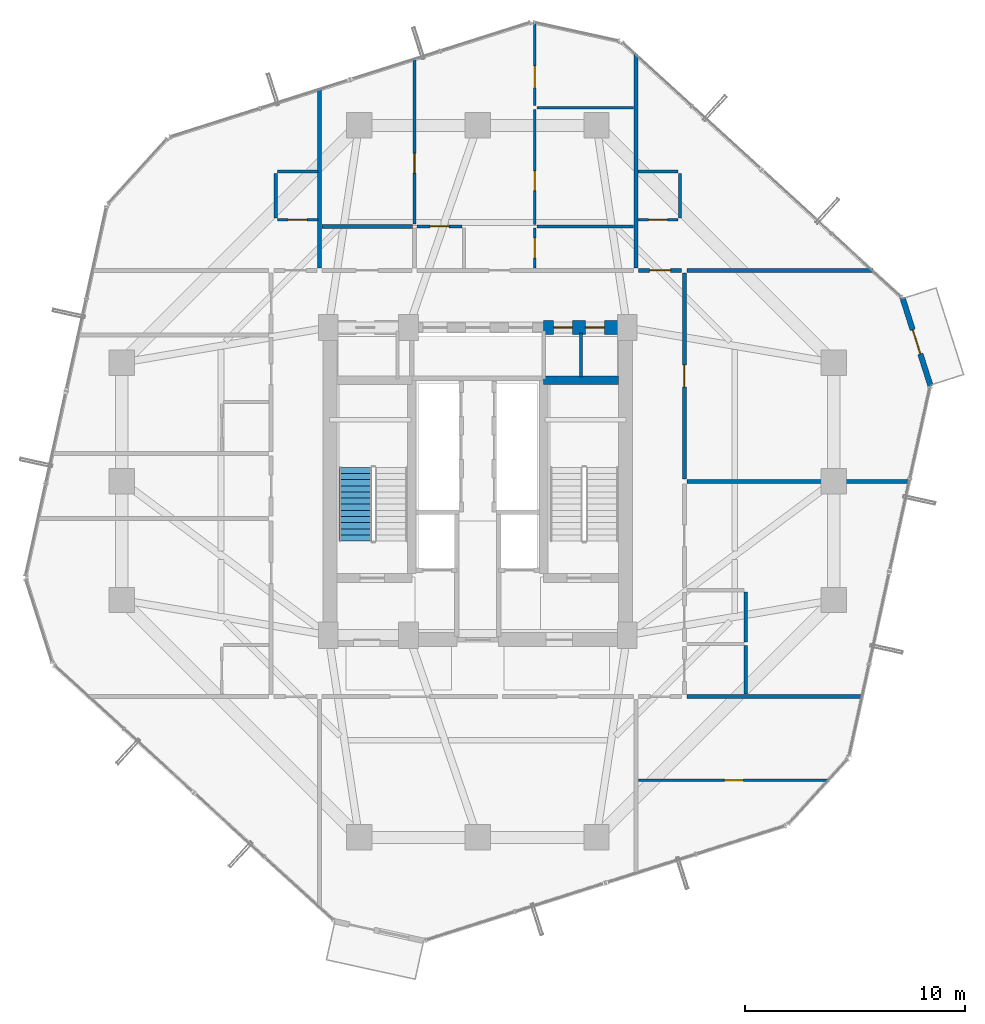
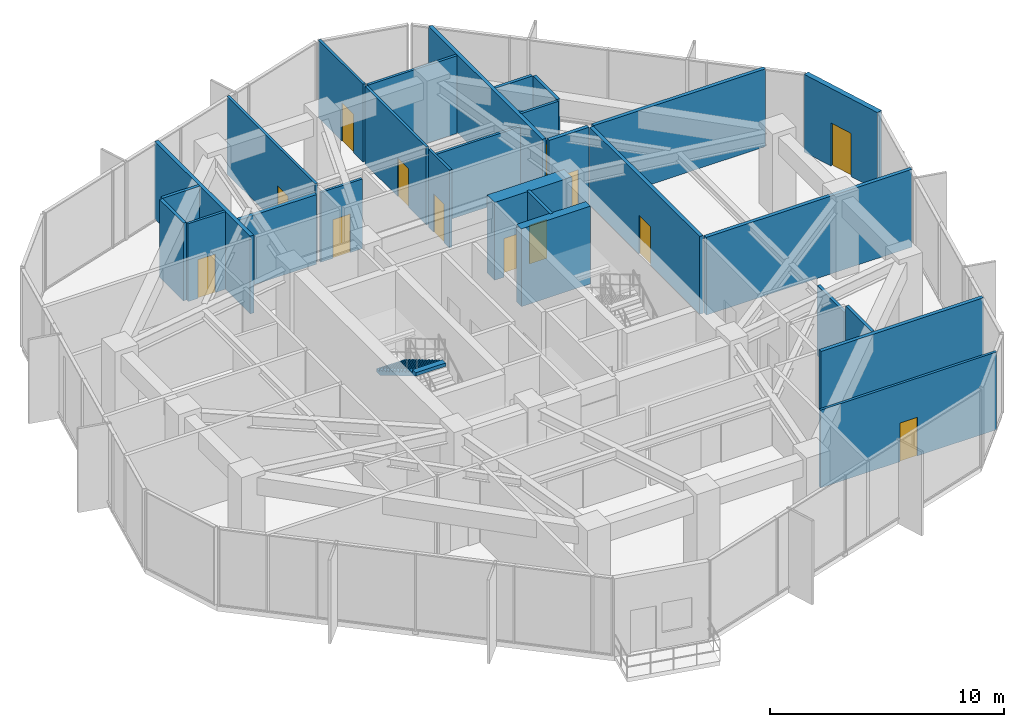
# One storey, part 25 of 28: 28 walls, 13 doors, 1 stair flight, 13 openings, 1 element without a shape of its own.
"""IFC4 building model written with IfcOpenShell, lengths in metres."""

from ifc_helpers import new_model, si_unit, direction, frame, frame_2d, origin, place, context, subcontext, project, spatial, polyline, rectangle, outline, extrude, source, transform, mapped, material, layer, layer_set, type_object, element, fill, aggregate, save


model = new_model("IFC4")

# Units and contexts
model_context = context("Model", 3, precision=1e-05, world=origin(), true_north=direction((0.0, 1.0)))
body_context = subcontext(model_context, "Body", "Model", "MODEL_VIEW")
ifc_project = project(units=[si_unit("LENGTHUNIT", "METRE"), si_unit("AREAUNIT", "SQUARE_METRE"), si_unit("VOLUMEUNIT", "CUBIC_METRE"), si_unit("PLANEANGLEUNIT", "RADIAN"), si_unit("MASSUNIT", "GRAM", prefix="KILO")], contexts=[model_context])

# Site, building, storey
site_placement = place(None, origin())
site = spatial("IfcSite", under=ifc_project, at=site_placement, CompositionType="ELEMENT")
building_placement = place(site_placement, origin())
building = spatial("IfcBuilding", under=site, at=building_placement, Name="Veraguas Prism Commons", CompositionType="ELEMENT")
storey_placement = place(building_placement, frame((0.0, 0.0, 85.14990234375)))
storey = spatial("IfcBuildingStorey", under=building, at=storey_placement, Name="L23", CompositionType="ELEMENT", Elevation=85.14990234375)

# Wall
ifc_material_1 = material(Name="Concrete C50/60", Category="concrete")
ifc_layer_1 = layer(ifc_material_1, 0.39990234375, Name="Clinic and Mid Core Shear Wall RC 400", Category="concrete")
ifc_layer_set_1 = layer_set([ifc_layer_1], Name="Concrete C50/60")
wall_type_1 = type_object("IfcWallType", Name="Clinic and Mid Core Shear Wall RC 400", PredefinedType="SHEAR", material=ifc_layer_set_1)
wall_1_placement = place(storey_placement, frame((27.0, 28.60009765625, 0.0), z_axis=(0.0, 0.0, 1.0), x_axis=(1.0, 0.0, 0.0)))
element("IfcWall", 1, at=wall_1_placement, inside=storey, type_object=wall_type_1, Name="Stair ST-02 North Shear Wall L23", PredefinedType="SHEAR", context=body_context, shape_type="SweptSolid", body=[
    extrude(rectangle(XDim=3.39990234375, YDim=0.39990234375, at=frame_2d((1.699951171875, 0.0))), origin(), (0.0, 0.0, 1.0), 4.050048828125),
])

# Wall, openings, doors
ifc_material_2 = material(Name="Concrete C55/67", Category="concrete")
ifc_layer_2 = layer(ifc_material_2, 0.64990234375, Name="Core Outer Shear Wall Mid RC 650", Category="concrete")
ifc_layer_set_2 = layer_set([ifc_layer_2], Name="Concrete C55/67")
wall_type_2 = type_object("IfcWallType", Name="Core Outer Shear Wall Mid RC 650", PredefinedType="SHEAR", material=ifc_layer_set_2)
wall_2_placement = place(storey_placement, frame((27.0, 31.0, 0.0), z_axis=(0.0, 0.0, 1.0), x_axis=(1.0, 0.0, 0.0)))
wall_2 = element("IfcWall", 2, at=wall_2_placement, inside=storey, type_object=wall_type_2, Name="Central Core North-East Shear Wall L23", PredefinedType="SHEAR", context=body_context, shape_type="SweptSolid", body=[
    extrude(rectangle(XDim=3.800048828125, YDim=0.64990234375, at=frame_2d((1.89990234375, 0.0))), origin(), (0.0, 0.0, 1.0), 4.050048828125),
])
opening_1_placement = place(wall_2_placement, frame((0.449951171875, 0.0, 0.0)))
opening_1 = element("IfcOpeningElement", 3, at=opening_1_placement, cuts=wall_2, Name="Opening DR-12", PredefinedType="OPENING", context=body_context, shape_type="SweptSolid", body=[
    extrude(rectangle(XDim=0.860107421875, YDim=2.010009765625, at=frame_2d((0.43017578125, 1.0048828125))), frame((0.0, 0.3349609375, 0.0), z_axis=(0.0, -1.0, 0.0), x_axis=(1.0, 0.0, 0.0)), (0.0, 0.0, 1.0), 0.669921875),
])
opening_2_placement = place(wall_2_placement, frame((1.89990234375, 0.0, 0.0)))
opening_2 = element("IfcOpeningElement", 4, at=opening_2_placement, cuts=wall_2, Name="Opening DR-12", PredefinedType="OPENING", context=body_context, shape_type="SweptSolid", body=[
    extrude(rectangle(XDim=0.860107421875, YDim=2.010009765625, at=frame_2d((0.43017578125, 1.0048828125))), frame((0.0, 0.3349609375, 0.0), z_axis=(0.0, -1.0, 0.0), x_axis=(1.0, 0.0, 0.0)), (0.0, 0.0, 1.0), 0.669921875),
])
ifc_material_3 = material(Name="Steel fire-rated door assembly", Category="steel")
door_type_1 = type_object("IfcDoorType", Name="Core WC Fire Door 860x2010", OperationType="NOTDEFINED", PredefinedType="DOOR", material=ifc_material_3)
shared_shape_1 = source(origin(), body_context, "Body", "SweptSolid", [
    extrude(rectangle(XDim=0.860107421875, YDim=2.010009765625, at=frame_2d((0.43017578125, 1.0048828125))), frame((0.0, 0.02490234375, 0.0), z_axis=(0.0, -1.0, 0.0), x_axis=(1.0, 0.0, 0.0)), (0.0, 0.0, 1.0), 0.050048828125),
])
door_1_placement = place(opening_1_placement, origin())
door_1 = element("IfcDoor", 5, at=door_1_placement, inside=storey, type_object=door_type_1, Name="Core NE Room A Door L23", OperationType="SINGLE_SWING_LEFT", OverallHeight=2.010009765625, OverallWidth=0.860107421875, PredefinedType="DOOR", context=body_context, shape_type="MappedRepresentation", body=[
    mapped(shared_shape_1, transform((0.0, 0.0, 0.0), scale=1.0)),
])
fill(opening_1, door_1)
door_2_placement = place(opening_2_placement, origin())
door_2 = element("IfcDoor", 6, at=door_2_placement, inside=storey, type_object=door_type_1, Name="Core NE Room B Door L23", OperationType="SINGLE_SWING_RIGHT", OverallHeight=2.010009765625, OverallWidth=0.860107421875, PredefinedType="DOOR", context=body_context, shape_type="MappedRepresentation", body=[
    mapped(shared_shape_1, transform((0.0, 0.0, 0.0), scale=1.0)),
])
fill(opening_2, door_2)

# Walls
ifc_material_4 = material(Name="Autoclaved aerated masonry block 10 MPa", Category="masonry")
ifc_layer_3 = layer(ifc_material_4, 0.179931640625, Name="Corridor and Inter-Tenancy Partition 180", Category="masonry")
ifc_layer_set_3 = layer_set([ifc_layer_3], Name="Autoclaved aerated masonry block 10 MPa")
wall_type_3 = type_object("IfcWallType", Name="Corridor and Inter-Tenancy Partition 180", PredefinedType="PARTITIONING", material=ifc_layer_set_3)
wall_3_placement = place(storey_placement, frame((16.800048828125, 33.719970703125, 0.0), z_axis=(0.0, 0.0, 1.0), x_axis=(0.0, 1.0, 0.0)))
element("IfcWall", 7, at=wall_3_placement, inside=storey, type_object=wall_type_3, Name="WL-L23-PT005", PredefinedType="PARTITIONING", context=body_context, shape_type="SweptSolid", body=[
    extrude(rectangle(XDim=8.15087890625, YDim=0.179931640625, at=frame_2d((4.075439453125, 0.0))), origin(), (0.0, 0.0, 1.0), 4.050048828125),
])
wall_4_placement = place(storey_placement, frame((31.199951171875, 33.719970703125, 0.0), z_axis=(0.0, 0.0, 1.0), x_axis=(0.0, 1.0, 0.0)))
element("IfcWall", 8, at=wall_4_placement, inside=storey, type_object=wall_type_3, Name="WL-L23-PT006", PredefinedType="PARTITIONING", context=body_context, shape_type="SweptSolid", body=[
    extrude(rectangle(XDim=9.71533203125, YDim=0.179931640625, at=frame_2d((4.857666015625, 0.0))), origin(), (0.0, 0.0, 1.0), 4.050048828125),
])
wall_5_placement = place(storey_placement, frame((16.919921875, 35.60009765625, 0.0), z_axis=(0.0, 0.0, 1.0), x_axis=(1.0, 0.0, 0.0)))
element("IfcWall", 9, at=wall_5_placement, inside=storey, type_object=wall_type_3, Name="WL-L23-PT011", PredefinedType="PARTITIONING", context=body_context, shape_type="SweptSolid", body=[
    extrude(rectangle(XDim=4.10009765625, YDim=0.179931640625, at=frame_2d((2.050048828125, 0.0))), origin(), (0.0, 0.0, 1.0), 3.630126953125),
])
wall_6_placement = place(storey_placement, frame((33.52001953125, 14.199951171875, 0.0), z_axis=(0.0, 0.0, 1.0), x_axis=(1.0, 0.0, 0.0)))
element("IfcWall", 10, at=wall_6_placement, inside=storey, type_object=wall_type_3, Name="WL-L23-PT032", PredefinedType="PARTITIONING", context=body_context, shape_type="SweptSolid", body=[
    extrude(rectangle(XDim=8.0009765625, YDim=0.179931640625, at=frame_2d((4.00048828125, 0.0))), origin(), (0.0, 0.0, 1.0), 4.050048828125),
])
wall_7_placement = place(storey_placement, frame((33.52001953125, 33.60009765625, 0.0), z_axis=(0.0, 0.0, 1.0), x_axis=(1.0, 0.0, 0.0)))
element("IfcWall", 11, at=wall_7_placement, inside=storey, type_object=wall_type_3, Name="WL-L23-PT033", PredefinedType="PARTITIONING", context=body_context, shape_type="SweptSolid", body=[
    extrude(rectangle(XDim=8.466064453125, YDim=0.179931640625, at=frame_2d((4.23291015625, 0.0))), origin(), (0.0, 0.0, 1.0), 4.050048828125),
])

# Wall, opening, door
wall_8_placement = place(storey_placement, frame((33.39990234375, 24.110107421875, 0.0), z_axis=(0.0, 0.0, 1.0), x_axis=(0.0, 1.0, 0.0)))
wall_8 = element("IfcWall", 12, at=wall_8_placement, inside=storey, type_object=wall_type_3, Name="WL-L23-PT037", PredefinedType="PARTITIONING", context=body_context, shape_type="SweptSolid", body=[
    extrude(rectangle(XDim=9.3798828125, YDim=0.179931640625, at=frame_2d((4.68994140625, 0.0))), origin(), (0.0, 0.0, 1.0), 4.050048828125),
])
opening_3_placement = place(wall_8_placement, frame((4.18994140625, 0.0, 0.0)))
opening_3 = element("IfcOpeningElement", 13, at=opening_3_placement, cuts=wall_8, Name="Opening DR-13", PredefinedType="OPENING", context=body_context, shape_type="SweptSolid", body=[
    extrude(rectangle(XDim=1.0, YDim=2.010009765625, at=frame_2d((0.5, 1.0048828125))), frame((0.0, 0.099853515625, 0.0), z_axis=(0.0, -1.0, 0.0), x_axis=(1.0, 0.0, 0.0)), (0.0, 0.0, 1.0), 0.199951171875),
])
door_type_2 = type_object("IfcDoorType", Name="Core Accessible WC and Clinic Fire Door 1000x2010", OperationType="NOTDEFINED", PredefinedType="DOOR", material=ifc_material_3)
shared_shape_2 = source(origin(), body_context, "Body", "SweptSolid", [
    extrude(rectangle(XDim=1.0, YDim=2.010009765625, at=frame_2d((0.5, 1.0048828125))), frame((0.0, 0.02490234375, 0.0), z_axis=(0.0, -1.0, 0.0), x_axis=(1.0, 0.0, 0.0)), (0.0, 0.0, 1.0), 0.050048828125),
])
door_3_placement = place(opening_3_placement, origin())
door_3 = element("IfcDoor", 14, at=door_3_placement, inside=storey, type_object=door_type_2, Name="Reading Lounge L23 Door", OperationType="SINGLE_SWING_LEFT", OverallHeight=2.010009765625, OverallWidth=1.0, PredefinedType="DOOR", context=body_context, shape_type="MappedRepresentation", body=[
    mapped(shared_shape_2, transform((0.0, 0.0, 0.0), scale=1.0)),
])
fill(opening_3, door_3)

# Wall
wall_9_placement = place(storey_placement, frame((33.52001953125, 24.0, 0.0), z_axis=(0.0, 0.0, 1.0), x_axis=(1.0, 0.0, 0.0)))
element("IfcWall", 15, at=wall_9_placement, inside=storey, type_object=wall_type_3, Name="WL-L23-PT042", PredefinedType="PARTITIONING", context=body_context, shape_type="SweptSolid", body=[
    extrude(rectangle(XDim=10.148193359375, YDim=0.179931640625, at=frame_2d((5.07421875, 0.0))), origin(), (0.0, 0.0, 1.0), 4.050048828125),
])

# Wall, opening, door
wall_10_placement = place(storey_placement, frame((31.320068359375, 33.60009765625, 0.0), z_axis=(0.0, 0.0, 1.0), x_axis=(1.0, 0.0, 0.0)))
wall_10 = element("IfcWall", 16, at=wall_10_placement, inside=storey, type_object=wall_type_3, Name="WL-L23-PT050", PredefinedType="PARTITIONING", context=body_context, shape_type="SweptSolid", body=[
    extrude(rectangle(XDim=1.9599609375, YDim=0.179931640625, at=frame_2d((0.97998046875, 0.0))), origin(), (0.0, 0.0, 1.0), 4.050048828125),
])
opening_4_placement = place(wall_10_placement, frame((0.5048828125, 0.0, 0.0)))
opening_4 = element("IfcOpeningElement", 17, at=opening_4_placement, cuts=wall_10, Name="Opening DR-01", PredefinedType="OPENING", context=body_context, shape_type="SweptSolid", body=[
    extrude(rectangle(XDim=0.949951171875, YDim=2.02001953125, at=frame_2d((0.47509765625, 1.010009765625))), frame((0.0, 0.099853515625, 0.0), z_axis=(0.0, -1.0, 0.0), x_axis=(1.0, 0.0, 0.0)), (0.0, 0.0, 1.0), 0.199951171875),
])
ifc_material_5 = material(Name="Anodised aluminium EN AW-6063 T6", Category="aluminium")
door_type_3 = type_object("IfcDoorType", Name="Apartment Entrance Fire Door 950x2020", OperationType="NOTDEFINED", PredefinedType="DOOR", material=ifc_material_5)
shared_shape_3 = source(origin(), body_context, "Body", "SweptSolid", [
    extrude(rectangle(XDim=0.949951171875, YDim=2.02001953125, at=frame_2d((0.47509765625, 1.010009765625))), frame((0.0, 0.02490234375, 0.0), z_axis=(0.0, -1.0, 0.0), x_axis=(1.0, 0.0, 0.0)), (0.0, 0.0, 1.0), 0.050048828125),
])
door_4_placement = place(opening_4_placement, origin())
door_4 = element("IfcDoor", 18, at=door_4_placement, inside=storey, type_object=door_type_3, Name="Studio 23E Entrance Door", OperationType="SINGLE_SWING_LEFT", OverallHeight=2.02001953125, OverallWidth=0.949951171875, PredefinedType="DOOR", context=body_context, shape_type="MappedRepresentation", body=[
    mapped(shared_shape_3, transform((0.0, 0.0, 0.0), scale=1.0)),
])
fill(opening_4, door_4)

ifc_material_6 = material(Name="Precast concrete C40/50", Category="concrete")
ifc_layer_4 = layer(ifc_material_6, 0.25, Name="External Loggia and Portal Wall 250", Category="concrete")
ifc_layer_set_4 = layer_set([ifc_layer_4], Name="Precast concrete C40/50")
wall_type_4 = type_object("IfcWallType", Name="External Loggia and Portal Wall 250", PredefinedType="SOLIDWALL", material=ifc_layer_set_4)
wall_11_placement = place(storey_placement, frame((44.607421875, 28.331787109375, 0.0), z_axis=(0.0, 0.0, 1.0), x_axis=(-0.303013211756, 0.952986355359, 0.0)))
wall_11 = element("IfcWall", 19, at=wall_11_placement, inside=storey, type_object=wall_type_4, Name="Corner Loggia Wall L23-C1", PredefinedType="SOLIDWALL", context=body_context, shape_type="SweptSolid", body=[
    extrude(rectangle(XDim=4.233154296875, YDim=0.25, at=frame_2d((2.11669921875, 0.0))), origin(), (0.0, 0.0, 1.0), 4.050048828125),
])
opening_5_placement = place(wall_11_placement, frame((1.5419921875, 0.0, 0.0)))
opening_5 = element("IfcOpeningElement", 20, at=opening_5_placement, cuts=wall_11, Name="Opening DR-10", PredefinedType="OPENING", context=body_context, shape_type="SweptSolid", body=[
    extrude(rectangle(XDim=1.14990234375, YDim=2.25, at=frame_2d((0.574951171875, 1.125))), frame((0.0, 0.135009765625, 0.0), z_axis=(0.0, -1.0, 0.0), x_axis=(1.0, 0.0, 0.0)), (0.0, 0.0, 1.0), 0.27001953125),
])
door_type_4 = type_object("IfcDoorType", Name="Glazed Loggia and Terrace Door 1150x2250", OperationType="NOTDEFINED", PredefinedType="DOOR", material=ifc_material_5)
shared_shape_4 = source(origin(), body_context, "Body", "SweptSolid", [
    extrude(rectangle(XDim=1.14990234375, YDim=2.25, at=frame_2d((0.574951171875, 1.125))), frame((0.0, 0.02490234375, 0.0), z_axis=(0.0, -1.0, 0.0), x_axis=(1.0, 0.0, 0.0)), (0.0, 0.0, 1.0), 0.050048828125),
])
door_5_placement = place(opening_5_placement, frame((1.14990234375, 0.0, 0.0), z_axis=(0.0, 0.0, 1.0), x_axis=(-1.0, 0.0, 0.0)))
door_5 = element("IfcDoor", 21, at=door_5_placement, inside=storey, type_object=door_type_4, Name="Recessed Loggia Door L23-C1", OperationType="SINGLE_SWING_RIGHT", OverallHeight=2.25, OverallWidth=1.14990234375, PredefinedType="DOOR", context=body_context, shape_type="MappedRepresentation", body=[
    mapped(shared_shape_4, transform((0.0, 0.0, 0.0), scale=1.0)),
])
fill(opening_5, door_5)

# Wall
ifc_material_7 = material(Name="Lightweight acoustic gypsum board")
ifc_layer_5 = layer(ifc_material_7, 0.125, Name="Internal Apartment Room Partition 125")
ifc_layer_set_5 = layer_set([ifc_layer_5], Name="Lightweight acoustic gypsum board")
wall_type_5 = type_object("IfcWallType", Name="Internal Apartment Room Partition 125", PredefinedType="PARTITIONING", material=ifc_layer_set_5)
wall_12_placement = place(storey_placement, frame((26.69189453125, 41.0, 0.0), z_axis=(0.0, 0.0, 1.0), x_axis=(1.0, 0.0, 0.0)))
element("IfcWall", 22, at=wall_12_placement, inside=storey, type_object=wall_type_5, Name="WL-L23-PT009", PredefinedType="PARTITIONING", context=body_context, shape_type="SweptSolid", body=[
    extrude(rectangle(XDim=4.38818359375, YDim=0.125, at=frame_2d((2.194091796875, 0.0))), origin(), (0.0, 0.0, 1.0), 4.050048828125),
])

# Wall, opening, door
wall_13_placement = place(storey_placement, frame((26.592041015625, 41.10009765625, 0.0), z_axis=(0.0, 0.0, 1.0), x_axis=(0.0, 1.0, 0.0)))
wall_13 = element("IfcWall", 23, at=wall_13_placement, inside=storey, type_object=wall_type_5, Name="WL-L23-PT010", PredefinedType="PARTITIONING", context=body_context, shape_type="SweptSolid", body=[
    extrude(rectangle(XDim=3.810791015625, YDim=0.125, at=frame_2d((1.9052734375, 0.0))), origin(), (0.0, 0.0, 1.0), 4.050048828125),
])
opening_6_placement = place(wall_13_placement, frame((0.802734375, 0.0, 0.0)))
opening_6 = element("IfcOpeningElement", 24, at=opening_6_placement, cuts=wall_13, Name="Opening DR-04", PredefinedType="OPENING", context=body_context, shape_type="SweptSolid", body=[
    extrude(rectangle(XDim=1.0, YDim=2.010009765625, at=frame_2d((0.5, 1.0048828125))), frame((0.0, 0.072509765625, 0.0), z_axis=(0.0, -1.0, 0.0), x_axis=(1.0, 0.0, 0.0)), (0.0, 0.0, 1.0), 0.14501953125),
])
door_type_5 = type_object("IfcDoorType", Name="Accessible WC and Clinic Exam Door 1000x2010", OperationType="NOTDEFINED", PredefinedType="DOOR", material=ifc_material_5)
door_6_placement = place(opening_6_placement, origin())
door_6 = element("IfcDoor", 25, at=door_6_placement, inside=storey, type_object=door_type_5, Name="Flat 23A Study Door", OperationType="SINGLE_SWING_LEFT", OverallHeight=2.010009765625, OverallWidth=1.0, PredefinedType="DOOR", context=body_context, shape_type="MappedRepresentation", body=[
    mapped(shared_shape_2, transform((0.0, 0.0, 0.0), scale=1.0)),
])
fill(opening_6, door_6)

wall_14_placement = place(storey_placement, frame((21.1201171875, 35.699951171875, 0.0), z_axis=(0.0, 0.0, 1.0), x_axis=(0.0, 1.0, 0.0)))
wall_14 = element("IfcWall", 26, at=wall_14_placement, inside=storey, type_object=wall_type_5, Name="WL-L23-PT013", PredefinedType="PARTITIONING", context=body_context, shape_type="SweptSolid", body=[
    extrude(rectangle(XDim=7.544677734375, YDim=0.125, at=frame_2d((3.7724609375, 0.0))), origin(), (0.0, 0.0, 1.0), 4.050048828125),
])
opening_7_placement = place(wall_14_placement, frame((2.3232421875, 0.0, 0.0)))
opening_7 = element("IfcOpeningElement", 27, at=opening_7_placement, cuts=wall_14, Name="Opening DR-02", PredefinedType="OPENING", context=body_context, shape_type="SweptSolid", body=[
    extrude(rectangle(XDim=0.89990234375, YDim=2.010009765625, at=frame_2d((0.449951171875, 1.0048828125))), frame((0.0, 0.072509765625, 0.0), z_axis=(0.0, -1.0, 0.0), x_axis=(1.0, 0.0, 0.0)), (0.0, 0.0, 1.0), 0.14501953125),
])
ifc_material_8 = material(Name="Timber solid core hardwood", Category="wood")
door_type_6 = type_object("IfcDoorType", Name="Internal Habitable Room Door 900x2010", OperationType="NOTDEFINED", PredefinedType="DOOR", material=ifc_material_8)
shared_shape_5 = source(origin(), body_context, "Body", "SweptSolid", [
    extrude(rectangle(XDim=0.89990234375, YDim=2.010009765625, at=frame_2d((0.449951171875, 1.0048828125))), frame((0.0, 0.02490234375, 0.0), z_axis=(0.0, -1.0, 0.0), x_axis=(1.0, 0.0, 0.0)), (0.0, 0.0, 1.0), 0.050048828125),
])
door_7_placement = place(opening_7_placement, origin())
door_7 = element("IfcDoor", 28, at=door_7_placement, inside=storey, type_object=door_type_6, Name="Flat 23A Bedroom 2 Door", OperationType="SINGLE_SWING_RIGHT", OverallHeight=2.010009765625, OverallWidth=0.89990234375, PredefinedType="DOOR", context=body_context, shape_type="MappedRepresentation", body=[
    mapped(shared_shape_5, transform((0.0, 0.0, 0.0), scale=1.0)),
])
fill(opening_7, door_7)

wall_15_placement = place(storey_placement, frame((21.239990234375, 35.60009765625, 0.0), z_axis=(0.0, 0.0, 1.0), x_axis=(1.0, 0.0, 0.0)))
wall_15 = element("IfcWall", 29, at=wall_15_placement, inside=storey, type_object=wall_type_5, Name="WL-L23-PT015", PredefinedType="PARTITIONING", context=body_context, shape_type="SweptSolid", body=[
    extrude(rectangle(XDim=2.050048828125, YDim=0.125, at=frame_2d((1.02490234375, 0.0))), origin(), (0.0, 0.0, 1.0), 3.630126953125),
])
opening_8_placement = place(wall_15_placement, frame((0.594970703125, 0.0, 0.0)))
opening_8 = element("IfcOpeningElement", 30, at=opening_8_placement, cuts=wall_15, Name="Opening DR-03", PredefinedType="OPENING", context=body_context, shape_type="SweptSolid", body=[
    extrude(rectangle(XDim=0.860107421875, YDim=2.010009765625, at=frame_2d((0.43017578125, 1.0048828125))), frame((0.0, 0.072509765625, 0.0), z_axis=(0.0, -1.0, 0.0), x_axis=(1.0, 0.0, 0.0)), (0.0, 0.0, 1.0), 0.14501953125),
])
ifc_material_9 = material(Name="Timber moisture-resistant leaf", Category="wood")
door_type_7 = type_object("IfcDoorType", Name="Internal Bathroom Door 860x2010", OperationType="NOTDEFINED", PredefinedType="DOOR", material=ifc_material_9)
door_8_placement = place(opening_8_placement, origin())
door_8 = element("IfcDoor", 31, at=door_8_placement, inside=storey, type_object=door_type_7, Name="Flat 23A Bathroom Door", OperationType="SINGLE_SWING_LEFT", OverallHeight=2.010009765625, OverallWidth=0.860107421875, PredefinedType="DOOR", context=body_context, shape_type="MappedRepresentation", body=[
    mapped(shared_shape_1, transform((0.0, 0.0, 0.0), scale=1.0)),
])
fill(opening_8, door_8)

wall_16_placement = place(storey_placement, frame((26.592041015625, 33.719970703125, 0.0), z_axis=(0.0, 0.0, 1.0), x_axis=(0.0, 1.0, 0.0)))
wall_16 = element("IfcWall", 32, at=wall_16_placement, inside=storey, type_object=wall_type_5, Name="WL-L23-PT016", PredefinedType="PARTITIONING", context=body_context, shape_type="SweptSolid", body=[
    extrude(rectangle(XDim=1.800048828125, YDim=0.125, at=frame_2d((0.89990234375, 0.0))), origin(), (0.0, 0.0, 1.0), 4.050048828125),
])
opening_9_placement = place(wall_16_placement, frame((0.449951171875, 0.0, 0.0)))
opening_9 = element("IfcOpeningElement", 33, at=opening_9_placement, cuts=wall_16, Name="Opening DR-02", PredefinedType="OPENING", context=body_context, shape_type="SweptSolid", body=[
    extrude(rectangle(XDim=0.89990234375, YDim=2.010009765625, at=frame_2d((0.449951171875, 1.0048828125))), frame((0.0, 0.072509765625, 0.0), z_axis=(0.0, -1.0, 0.0), x_axis=(1.0, 0.0, 0.0)), (0.0, 0.0, 1.0), 0.14501953125),
])
door_9_placement = place(opening_9_placement, origin())
door_9 = element("IfcDoor", 34, at=door_9_placement, inside=storey, type_object=door_type_6, Name="Flat 23A Kitchen Door", OperationType="SINGLE_SWING_RIGHT", OverallHeight=2.010009765625, OverallWidth=0.89990234375, PredefinedType="DOOR", context=body_context, shape_type="MappedRepresentation", body=[
    mapped(shared_shape_5, transform((0.0, 0.0, 0.0), scale=1.0)),
])
fill(opening_9, door_9)

# Wall
wall_17_placement = place(storey_placement, frame((26.69189453125, 35.60009765625, 0.0), z_axis=(0.0, 0.0, 1.0), x_axis=(1.0, 0.0, 0.0)))
element("IfcWall", 35, at=wall_17_placement, inside=storey, type_object=wall_type_5, Name="WL-L23-PT017", PredefinedType="PARTITIONING", context=body_context, shape_type="SweptSolid", body=[
    extrude(rectangle(XDim=4.38818359375, YDim=0.125, at=frame_2d((2.194091796875, 0.0))), origin(), (0.0, 0.0, 1.0), 3.630126953125),
])

# Wall, opening, door
wall_18_placement = place(storey_placement, frame((26.592041015625, 35.699951171875, 0.0), z_axis=(0.0, 0.0, 1.0), x_axis=(0.0, 1.0, 0.0)))
wall_18 = element("IfcWall", 36, at=wall_18_placement, inside=storey, type_object=wall_type_5, Name="WL-L23-PT018", PredefinedType="PARTITIONING", context=body_context, shape_type="SweptSolid", body=[
    extrude(rectangle(XDim=5.219970703125, YDim=0.125, at=frame_2d((2.60986328125, 0.0))), origin(), (0.0, 0.0, 1.0), 4.050048828125),
])
opening_10_placement = place(wall_18_placement, frame((1.53271484375, 0.0, 0.0)))
opening_10 = element("IfcOpeningElement", 37, at=opening_10_placement, cuts=wall_18, Name="Opening DR-02", PredefinedType="OPENING", context=body_context, shape_type="SweptSolid", body=[
    extrude(rectangle(XDim=0.89990234375, YDim=2.010009765625, at=frame_2d((0.449951171875, 1.0048828125))), frame((0.0, 0.072509765625, 0.0), z_axis=(0.0, -1.0, 0.0), x_axis=(1.0, 0.0, 0.0)), (0.0, 0.0, 1.0), 0.14501953125),
])
door_10_placement = place(opening_10_placement, origin())
door_10 = element("IfcDoor", 38, at=door_10_placement, inside=storey, type_object=door_type_6, Name="Flat 23A Bedroom 1 Door", OperationType="SINGLE_SWING_LEFT", OverallHeight=2.010009765625, OverallWidth=0.89990234375, PredefinedType="DOOR", context=body_context, shape_type="MappedRepresentation", body=[
    mapped(shared_shape_5, transform((0.0, 0.0, 0.0), scale=1.0)),
])
fill(opening_10, door_10)

wall_19_placement = place(storey_placement, frame((31.320068359375, 10.39990234375, 0.0), z_axis=(0.0, 0.0, 1.0), x_axis=(1.0, 0.0, 0.0)))
wall_19 = element("IfcWall", 39, at=wall_19_placement, inside=storey, type_object=wall_type_5, Name="WL-L23-PT045", PredefinedType="PARTITIONING", context=body_context, shape_type="SweptSolid", body=[
    extrude(rectangle(XDim=8.6728515625, YDim=0.125, at=frame_2d((4.33642578125, 0.0))), origin(), (0.0, 0.0, 1.0), 4.050048828125),
])
opening_11_placement = place(wall_19_placement, frame((3.906494140625, 0.0, 0.0)))
opening_11 = element("IfcOpeningElement", 40, at=opening_11_placement, cuts=wall_19, Name="Opening DR-03", PredefinedType="OPENING", context=body_context, shape_type="SweptSolid", body=[
    extrude(rectangle(XDim=0.860107421875, YDim=2.010009765625, at=frame_2d((0.43017578125, 1.0048828125))), frame((0.0, 0.072509765625, 0.0), z_axis=(0.0, -1.0, 0.0), x_axis=(1.0, 0.0, 0.0)), (0.0, 0.0, 1.0), 0.14501953125),
])
door_11_placement = place(opening_11_placement, origin())
door_11 = element("IfcDoor", 41, at=door_11_placement, inside=storey, type_object=door_type_7, Name="Corner Store SE Door", OperationType="SINGLE_SWING_RIGHT", OverallHeight=2.010009765625, OverallWidth=0.860107421875, PredefinedType="DOOR", context=body_context, shape_type="MappedRepresentation", body=[
    mapped(shared_shape_1, transform((0.0, 0.0, 0.0), scale=1.0)),
])
fill(opening_11, door_11)

wall_20_placement = place(storey_placement, frame((14.8798828125, 35.89990234375, 0.0), z_axis=(0.0, 0.0, 1.0), x_axis=(1.0, 0.0, 0.0)))
wall_20 = element("IfcWall", 42, at=wall_20_placement, inside=storey, type_object=wall_type_5, Name="WL-L23-PT047", PredefinedType="PARTITIONING", context=body_context, shape_type="SweptSolid", body=[
    extrude(rectangle(XDim=1.840087890625, YDim=0.125, at=frame_2d((0.919921875, 0.0))), origin(), (0.0, 0.0, 1.0), 4.050048828125),
])
opening_12_placement = place(wall_20_placement, frame((0.489990234375, 0.0, 0.0)))
opening_12 = element("IfcOpeningElement", 43, at=opening_12_placement, cuts=wall_20, Name="Opening DR-03", PredefinedType="OPENING", context=body_context, shape_type="SweptSolid", body=[
    extrude(rectangle(XDim=0.860107421875, YDim=2.010009765625, at=frame_2d((0.43017578125, 1.0048828125))), frame((0.0, 0.072509765625, 0.0), z_axis=(0.0, -1.0, 0.0), x_axis=(1.0, 0.0, 0.0)), (0.0, 0.0, 1.0), 0.14501953125),
])
door_12_placement = place(opening_12_placement, origin())
door_12 = element("IfcDoor", 44, at=door_12_placement, inside=storey, type_object=door_type_7, Name="Studio 23D Bathroom Door", OperationType="SINGLE_SWING_RIGHT", OverallHeight=2.010009765625, OverallWidth=0.860107421875, PredefinedType="DOOR", context=body_context, shape_type="MappedRepresentation", body=[
    mapped(shared_shape_1, transform((0.0, 0.0, 0.0), scale=1.0)),
])
fill(opening_12, door_12)

wall_21_placement = place(storey_placement, frame((31.280029296875, 35.89990234375, 0.0), z_axis=(0.0, 0.0, 1.0), x_axis=(1.0, 0.0, 0.0)))
wall_21 = element("IfcWall", 45, at=wall_21_placement, inside=storey, type_object=wall_type_5, Name="WL-L23-PT051", PredefinedType="PARTITIONING", context=body_context, shape_type="SweptSolid", body=[
    extrude(rectangle(XDim=1.840087890625, YDim=0.125, at=frame_2d((0.919921875, 0.0))), origin(), (0.0, 0.0, 1.0), 4.050048828125),
])
opening_13_placement = place(wall_21_placement, frame((0.489990234375, 0.0, 0.0)))
opening_13 = element("IfcOpeningElement", 46, at=opening_13_placement, cuts=wall_21, Name="Opening DR-03", PredefinedType="OPENING", context=body_context, shape_type="SweptSolid", body=[
    extrude(rectangle(XDim=0.860107421875, YDim=2.010009765625, at=frame_2d((0.43017578125, 1.0048828125))), frame((0.0, 0.072509765625, 0.0), z_axis=(0.0, -1.0, 0.0), x_axis=(1.0, 0.0, 0.0)), (0.0, 0.0, 1.0), 0.14501953125),
])
door_13_placement = place(opening_13_placement, origin())
door_13 = element("IfcDoor", 47, at=door_13_placement, inside=storey, type_object=door_type_7, Name="Studio 23E Bathroom Door", OperationType="SINGLE_SWING_RIGHT", OverallHeight=2.010009765625, OverallWidth=0.860107421875, PredefinedType="DOOR", context=body_context, shape_type="MappedRepresentation", body=[
    mapped(shared_shape_1, transform((0.0, 0.0, 0.0), scale=1.0)),
])
fill(opening_13, door_13)

# Walls
ifc_layer_6 = layer(ifc_material_7, 0.14990234375, Name="Wet Room and Clinic Acoustic Partition 150")
ifc_layer_set_6 = layer_set([ifc_layer_6], Name="Lightweight acoustic gypsum board")
wall_type_6 = type_object("IfcWallType", Name="Wet Room and Clinic Acoustic Partition 150", PredefinedType="PARTITIONING", material=ifc_layer_set_6)
wall_22_placement = place(storey_placement, frame((28.699951171875, 28.75, 0.0), z_axis=(0.0, 0.0, 1.0), x_axis=(0.0, 1.0, 0.0)))
element("IfcWall", 48, at=wall_22_placement, inside=storey, type_object=wall_type_6, Name="WL-L23-CSVD1", PredefinedType="PARTITIONING", context=body_context, shape_type="SweptSolid", body=[
    extrude(rectangle(XDim=2.0, YDim=0.14990234375, at=frame_2d((1.0, 0.0))), origin(), (0.0, 0.0, 1.0), 4.050048828125),
])
wall_23_placement = place(storey_placement, frame((36.199951171875, 14.320068359375, 0.0), z_axis=(0.0, 0.0, 1.0), x_axis=(0.0, 1.0, 0.0)))
element("IfcWall", 49, at=wall_23_placement, inside=storey, type_object=wall_type_6, Name="WL-L23-PT040", PredefinedType="PARTITIONING", context=body_context, shape_type="SweptSolid", body=[
    extrude(rectangle(XDim=2.199951171875, YDim=0.14990234375, at=frame_2d((1.10009765625, 0.0))), origin(), (0.0, 0.0, 1.0), 4.050048828125),
])
wall_24_placement = place(storey_placement, frame((36.199951171875, 16.679931640625, 0.0), z_axis=(0.0, 0.0, 1.0), x_axis=(0.0, 1.0, 0.0)))
element("IfcWall", 50, at=wall_24_placement, inside=storey, type_object=wall_type_6, Name="WL-L23-PT041", PredefinedType="PARTITIONING", context=body_context, shape_type="SweptSolid", body=[
    extrude(rectangle(XDim=2.2900390625, YDim=0.14990234375, at=frame_2d((1.14501953125, 0.0))), origin(), (0.0, 0.0, 1.0), 3.630126953125),
])
wall_25_placement = place(storey_placement, frame((14.8798828125, 38.10009765625, 0.0), z_axis=(0.0, 0.0, 1.0), x_axis=(1.0, 0.0, 0.0)))
element("IfcWall", 51, at=wall_25_placement, inside=storey, type_object=wall_type_6, Name="WL-L23-PT048", PredefinedType="PARTITIONING", context=body_context, shape_type="SweptSolid", body=[
    extrude(rectangle(XDim=1.840087890625, YDim=0.14990234375, at=frame_2d((0.919921875, 0.0))), origin(), (0.0, 0.0, 1.0), 4.050048828125),
])
wall_26_placement = place(storey_placement, frame((14.800048828125, 35.97998046875, 0.0), z_axis=(0.0, 0.0, 1.0), x_axis=(0.0, 1.0, 0.0)))
element("IfcWall", 52, at=wall_26_placement, inside=storey, type_object=wall_type_6, Name="WL-L23-PT049", PredefinedType="PARTITIONING", context=body_context, shape_type="SweptSolid", body=[
    extrude(rectangle(XDim=2.0400390625, YDim=0.14990234375, at=frame_2d((1.02001953125, 0.0))), origin(), (0.0, 0.0, 1.0), 4.050048828125),
])
wall_27_placement = place(storey_placement, frame((31.280029296875, 38.10009765625, 0.0), z_axis=(0.0, 0.0, 1.0), x_axis=(1.0, 0.0, 0.0)))
element("IfcWall", 53, at=wall_27_placement, inside=storey, type_object=wall_type_6, Name="WL-L23-PT052", PredefinedType="PARTITIONING", context=body_context, shape_type="SweptSolid", body=[
    extrude(rectangle(XDim=1.840087890625, YDim=0.14990234375, at=frame_2d((0.919921875, 0.0))), origin(), (0.0, 0.0, 1.0), 4.050048828125),
])
wall_28_placement = place(storey_placement, frame((33.199951171875, 35.97998046875, 0.0), z_axis=(0.0, 0.0, 1.0), x_axis=(0.0, 1.0, 0.0)))
element("IfcWall", 54, at=wall_28_placement, inside=storey, type_object=wall_type_6, Name="WL-L23-PT053", PredefinedType="PARTITIONING", context=body_context, shape_type="SweptSolid", body=[
    extrude(rectangle(XDim=2.0400390625, YDim=0.14990234375, at=frame_2d((1.02001953125, 0.0))), origin(), (0.0, 0.0, 1.0), 4.050048828125),
])

# Stair, stair flight
ifc_material_10 = material(Name="Precast concrete C45/55", Category="concrete")
stair_type = type_object("IfcStairType", Name="Dogleg Core Stair 1480W 26R 06", PredefinedType="HALF_TURN_STAIR", material=ifc_material_10)
stair_placement = place(storey_placement, origin())
stair = element("IfcStair", 55, at=stair_placement, inside=storey, type_object=stair_type, Name="Protected Exit Stair ST-01 L23", PredefinedType="HALF_TURN_STAIR")
stair_flight_type = type_object("IfcStairFlightType", Name="Precast Stair Flight 1480W 13R 06", PredefinedType="STRAIGHT", material=ifc_material_10)
stair_flight_placement = place(storey_placement, frame((18.429931640625, 24.639892578125, 2.150146484375), z_axis=(0.0, 0.0, 1.0), x_axis=(0.0, -1.0, 0.0)))
stair_flight = element("IfcStairFlight", 56, at=stair_flight_placement, type_object=stair_flight_type, Name="ST-06 Flight 2", NumberOfRisers=13, NumberOfTreads=12, PredefinedType="STRAIGHT", RiserHeight=0.165384615, TreadLength=0.28, context=body_context, shape_type="SweptSolid", body=[
    extrude(outline(polyline([(0.0, 0.0), (0.0, 0.165283203125), (0.280029296875, 0.165283203125), (0.280029296875, 0.330810546875), (0.56005859375, 0.330810546875), (0.56005859375, 0.49609375), (0.840087890625, 0.49609375), (0.840087890625, 0.66162109375), (1.1201171875, 0.66162109375), (1.1201171875, 0.826904296875), (1.39990234375, 0.826904296875), (1.39990234375, 0.9921875), (1.679931640625, 0.9921875), (1.679931640625, 1.15771484375), (1.9599609375, 1.15771484375), (1.9599609375, 1.322998046875), (2.239990234375, 1.322998046875), (2.239990234375, 1.488525390625), (2.52001953125, 1.488525390625), (2.52001953125, 1.65380859375), (2.800048828125, 1.65380859375), (2.800048828125, 1.8193359375), (3.080078125, 1.8193359375), (3.080078125, 1.984619140625), (3.360107421875, 1.984619140625), (3.360107421875, 2.14990234375), (3.360107421875, 1.810546875), (0.294677734375, 0.0), (0.0, 0.0)])), frame((0.0, 0.739990234375, 0.0), z_axis=(0.0, -1.0, 0.0), x_axis=(1.0, 0.0, 0.0)), (0.0, 0.0, 1.0), 1.47998046875),
])
aggregate(stair, [stair_flight])

save(model, "model.ifc")
